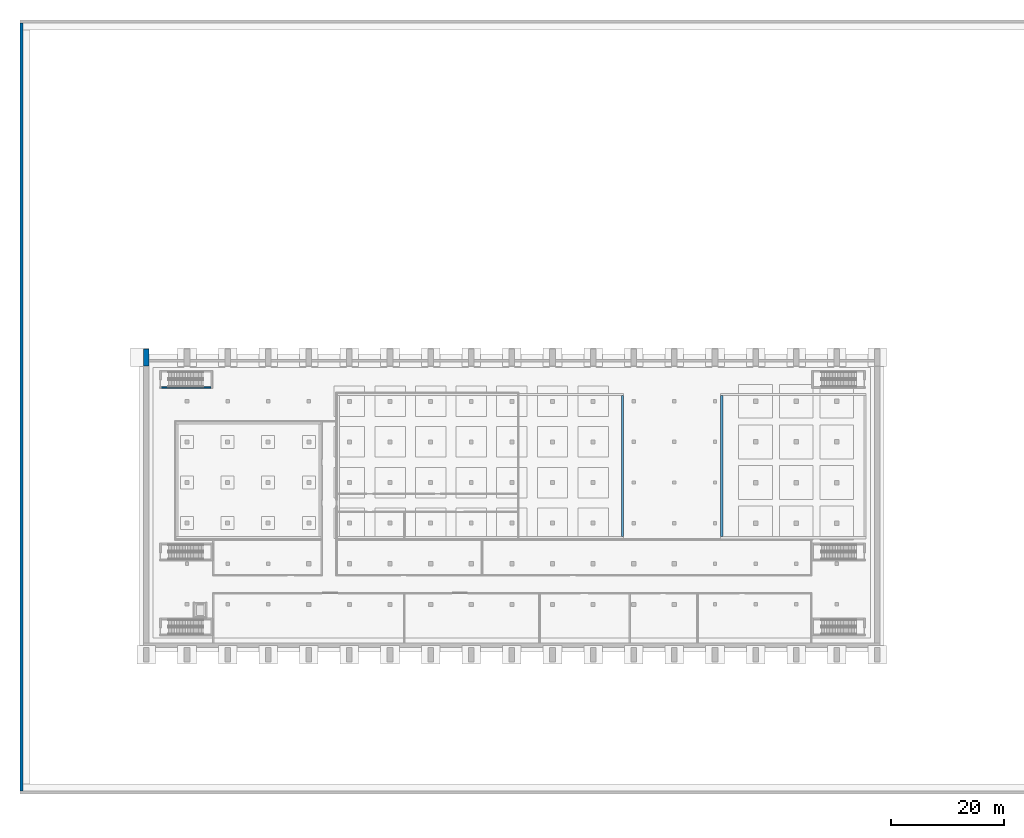
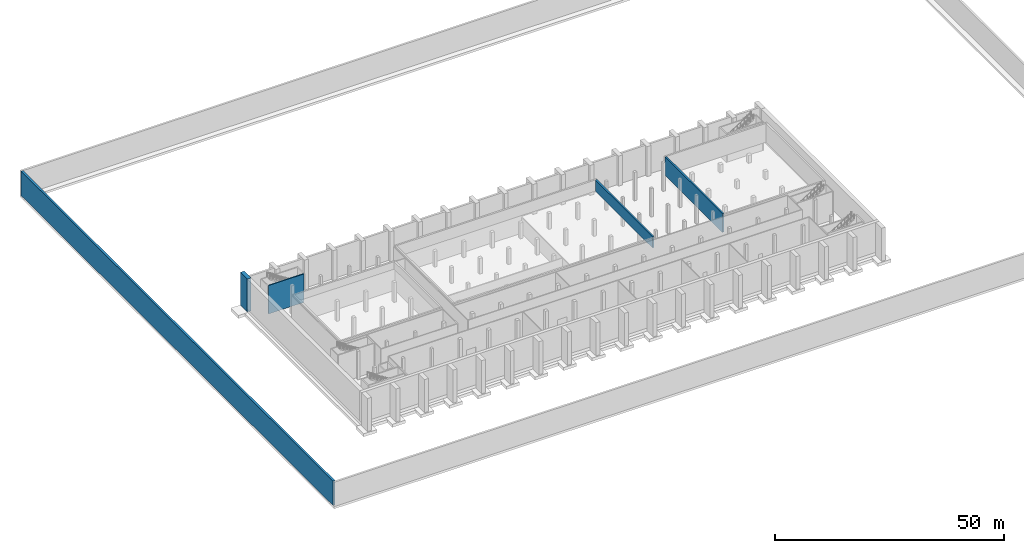
# One storey, part 9 of 14: 5 walls.
"""IFC4 building model written with IfcOpenShell, lengths in metres."""

from ifc_helpers import new_model, si_unit, direction, frame, frame_2d, origin, place, context, subcontext, project, spatial, rectangle, extrude, material, layer, layer_set, type_object, element, save


model = new_model("IFC4")

# Units and contexts
model_context = context("Model", 3, precision=1e-05, world=origin(), true_north=direction((0.0, 1.0)))
body_context = subcontext(model_context, "Body", "Model", "MODEL_VIEW")
ifc_project = project(units=[si_unit("LENGTHUNIT", "METRE"), si_unit("AREAUNIT", "SQUARE_METRE"), si_unit("VOLUMEUNIT", "CUBIC_METRE"), si_unit("PLANEANGLEUNIT", "RADIAN"), si_unit("MASSUNIT", "GRAM", prefix="KILO")], contexts=[model_context])

# Site, building, storey
site_placement = place(None, origin())
site = spatial("IfcSite", under=ifc_project, at=site_placement, CompositionType="ELEMENT")
building_placement = place(site_placement, origin())
building = spatial("IfcBuilding", under=site, at=building_placement, Name="Vermilion Court Aquatics Centre", CompositionType="ELEMENT")
storey_placement = place(building_placement, frame((0.0, 0.0, -8.0)))
storey = spatial("IfcBuildingStorey", under=building, at=storey_placement, Name="B1", CompositionType="ELEMENT", Elevation=-8.0)

# Walls
ifc_material_1 = material(Name="Concrete 5000 psi", Category="concrete")
ifc_layer_1 = layer(ifc_material_1, 1.0)
ifc_layer_set_1 = layer_set([ifc_layer_1], Name="Hall basement wall 1000")
wall_type_1 = type_object("IfcWallType", Name="Hall basement wall 1000", PredefinedType="SOLIDWALL", material=ifc_layer_set_1)
wall_1_placement = place(storey_placement, frame((14.39990234375, 63.89990234375, -0.800048828125), z_axis=(0.0, 0.0, 1.0), x_axis=(0.0, 1.0, 0.0)))
element("IfcWall", 1, at=wall_1_placement, inside=storey, type_object=wall_type_1, Name="Buttress pier base", PredefinedType="SOLIDWALL", context=body_context, shape_type="SweptSolid", body=[
    extrude(rectangle(XDim=3.0, YDim=1.0, at=frame_2d((1.5, 0.0))), origin(), (0.0, 0.0, 1.0), 8.800048828125),
])
ifc_material_2 = material(Name="Concrete 6000 psi", Category="concrete")
ifc_layer_2 = layer(ifc_material_2, 0.39990234375)
ifc_layer_set_2 = layer_set([ifc_layer_2], Name="Hall pool tank wall 400")
wall_type_2 = type_object("IfcWallType", Name="Hall pool tank wall 400", PredefinedType="SOLIDWALL", material=ifc_layer_set_2)
wall_2_placement = place(storey_placement, frame((98.800048828125, 33.60009765625, 5.0), z_axis=(0.0, 0.0, 1.0), x_axis=(0.0, 1.0, 0.0)))
element("IfcWall", 2, at=wall_2_placement, inside=storey, type_object=wall_type_2, Name="Competition Pool tank wall", PredefinedType="SOLIDWALL", context=body_context, shape_type="SweptSolid", body=[
    extrude(rectangle(XDim=25.0, YDim=0.39990234375, at=frame_2d((12.5, 0.0))), origin(), (0.0, 0.0, 1.0), 3.0),
])
wall_3_placement = place(storey_placement, frame((116.39990234375, 33.60009765625, 3.0), z_axis=(0.0, 0.0, 1.0), x_axis=(0.0, 1.0, 0.0)))
element("IfcWall", 3, at=wall_3_placement, inside=storey, type_object=wall_type_2, Name="Diving Pool tank wall", PredefinedType="SOLIDWALL", context=body_context, shape_type="SweptSolid", body=[
    extrude(rectangle(XDim=25.0, YDim=0.39990234375, at=frame_2d((12.5, 0.0))), origin(), (0.0, 0.0, 1.0), 5.0),
])
ifc_material_3 = material(Name="Concrete 5000 psi", Category="concrete")
ifc_layer_3 = layer(ifc_material_3, 0.25)
ifc_layer_set_3 = layer_set([ifc_layer_3], Name="Hall stair enclosure wall 250")
wall_type_3 = type_object("IfcWallType", Name="Hall stair enclosure wall 250", PredefinedType="SOLIDWALL", material=ifc_layer_set_3)
wall_4_placement = place(storey_placement, frame((17.0, 60.074951171875, 0.0), z_axis=(0.0, 0.0, 1.0), x_axis=(1.0, 0.0, 0.0)))
element("IfcWall", 4, at=wall_4_placement, inside=storey, type_object=wall_type_3, Name="Exit stair 3 enclosure wall", PredefinedType="SOLIDWALL", context=body_context, shape_type="SweptSolid", body=[
    extrude(rectangle(XDim=8.89990234375, YDim=0.25, at=frame_2d((4.449951171875, 0.0))), origin(), (0.0, 0.0, 1.0), 7.594970703125),
])
ifc_material_4 = material(Name="Concrete 5000 psi", Category="concrete")
ifc_layer_4 = layer(ifc_material_4, 0.5)
ifc_layer_set_4 = layer_set([ifc_layer_4], Name="Perimeter retaining wall 500")
wall_type_4 = type_object("IfcWallType", Name="Perimeter retaining wall 500", PredefinedType="SOLIDWALL", material=ifc_layer_set_4)
wall_5_placement = place(storey_placement, frame((-7.75, -11.5, 1.050048828125), z_axis=(0.0, 0.0, 1.0), x_axis=(0.0, 1.0, 0.0)))
element("IfcWall", 5, at=wall_5_placement, inside=storey, type_object=wall_type_4, Name="Perimeter retaining wall", PredefinedType="SOLIDWALL", context=body_context, shape_type="SweptSolid", body=[
    extrude(rectangle(XDim=136.199951171875, YDim=0.5, at=frame_2d((68.10009765625, 0.0))), origin(), (0.0, 0.0, 1.0), 6.5),
])

save(model, "model.ifc")
